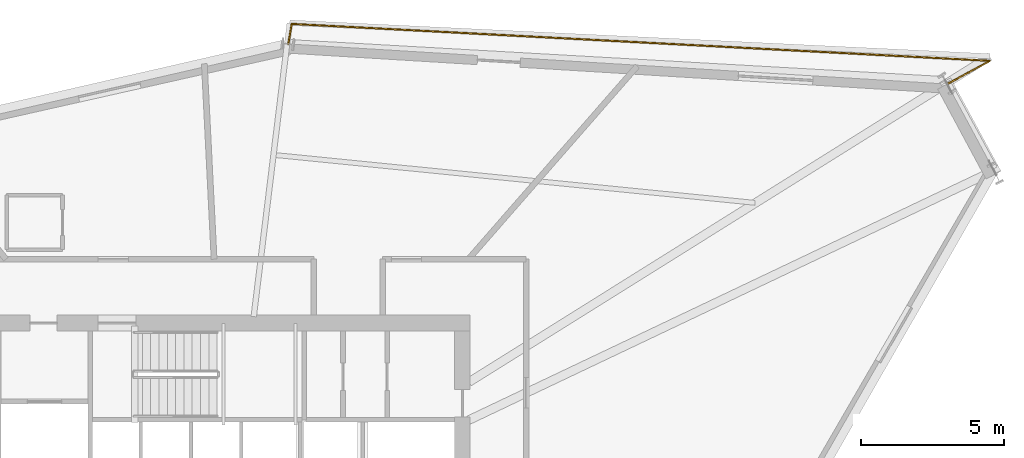
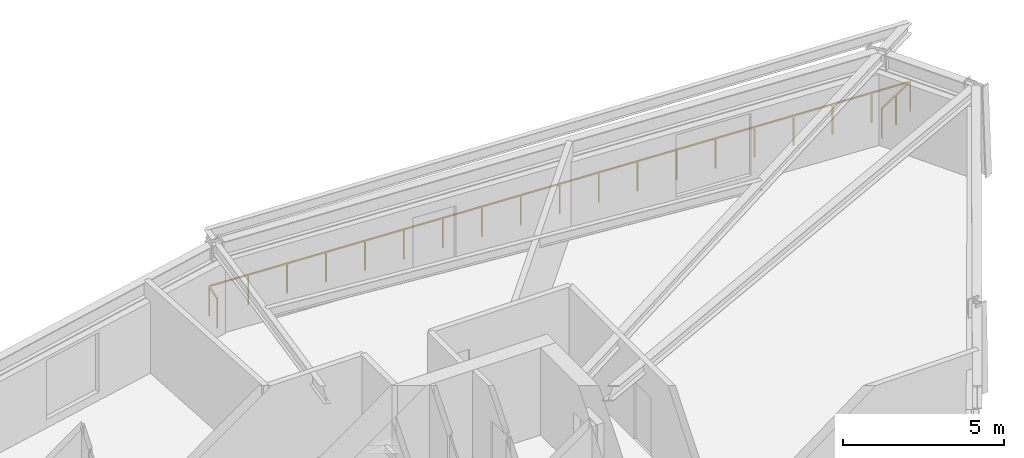
# One storey, part 14 of 14: 1 railing.
"""IFC4 building model written with IfcOpenShell, lengths in metres."""

from ifc_helpers import new_model, si_unit, direction, frame, origin, origin_2d, place, context, subcontext, project, spatial, rectangle, extrude, material, type_object, element, save


model = new_model("IFC4")

# Units and contexts
model_context = context("Model", 3, precision=1e-05, world=origin(), true_north=direction((0.0, 1.0)))
body_context = subcontext(model_context, "Body", "Model", "MODEL_VIEW")
ifc_project = project(units=[si_unit("LENGTHUNIT", "METRE"), si_unit("AREAUNIT", "SQUARE_METRE"), si_unit("VOLUMEUNIT", "CUBIC_METRE"), si_unit("PLANEANGLEUNIT", "RADIAN"), si_unit("MASSUNIT", "GRAM", prefix="KILO")], contexts=[model_context])

# Site, building, storey
site_placement = place(None, origin())
site = spatial("IfcSite", under=ifc_project, at=site_placement, CompositionType="ELEMENT")
building_placement = place(site_placement, origin())
building = spatial("IfcBuilding", under=site, at=building_placement, Name="Olszyna Solenne Hotel", CompositionType="ELEMENT")
storey_placement = place(building_placement, frame((0.0, 0.0, 153.699951171875)))
storey = spatial("IfcBuildingStorey", under=building, at=storey_placement, Name="L40", CompositionType="ELEMENT", Elevation=153.699951171875)

# Railing
ifc_material = material(Name="Anodised bronze aluminium", Category="aluminium")
railing_type = type_object("IfcRailingType", Name="GR-110", PredefinedType="BALUSTRADE", material=ifc_material)
railing_placement = place(storey_placement, frame((63.081298828125, 42.306396484375, 0.0)))
element("IfcRailing", 1, at=railing_placement, inside=storey, type_object=railing_type, Name="Loggia balcony balustrade guard GR-L40-LG1", PredefinedType="BALUSTRADE", context=body_context, shape_type="SweptSolid", body=[
    extrude(rectangle(XDim=0.048095703125, YDim=0.048095703125, at=origin_2d()), frame((0.0, 0.0, 1.1259765625), z_axis=(0.87823726809, 0.478225157156, 0.0), x_axis=(-0.478225157156, 0.87823726809, 0.0)), (0.0, 0.0, 1.0), 1.69189453125),
    extrude(rectangle(XDim=0.048095703125, YDim=0.048095703125, at=origin_2d()), frame((1.48583984375, 0.80908203125, 1.1259765625), z_axis=(-0.99860395855, 0.052821718714, 0.0), x_axis=(-0.052821718714, -0.99860395855, 0.0)), (0.0, 0.0, 1.0), 24.37158203125),
    extrude(rectangle(XDim=0.048095703125, YDim=0.048095703125, at=origin_2d()), frame((-22.851806640625, 2.096435546875, 1.1259765625), z_axis=(-0.168361739839, -0.985725278441, 0.0), x_axis=(0.985725278441, -0.168361739839, 0.0)), (0.0, 0.0, 1.0), 0.708984375),
    extrude(rectangle(XDim=0.0419921875, YDim=0.0419921875, at=origin_2d()), origin(), (0.0, 0.0, 1.0), 1.101806640625),
    extrude(rectangle(XDim=0.0419921875, YDim=0.0419921875, at=origin_2d()), frame((0.742919921875, 0.404541015625, 0.0)), (0.0, 0.0, 1.0), 1.101806640625),
    extrude(rectangle(XDim=0.0419921875, YDim=0.0419921875, at=origin_2d()), frame((1.48583984375, 0.80908203125, 0.0)), (0.0, 0.0, 1.0), 1.101806640625),
    extrude(rectangle(XDim=0.0419921875, YDim=0.0419921875, at=origin_2d()), frame((0.1337890625, 0.880615234375, 0.0)), (0.0, 0.0, 1.0), 1.101806640625),
    extrude(rectangle(XDim=0.0419921875, YDim=0.0419921875, at=origin_2d()), frame((-1.21826171875, 0.9521484375, 0.0)), (0.0, 0.0, 1.0), 1.101806640625),
    extrude(rectangle(XDim=0.0419921875, YDim=0.0419921875, at=origin_2d()), frame((-2.5703125, 1.023681640625, 0.0)), (0.0, 0.0, 1.0), 1.101806640625),
    extrude(rectangle(XDim=0.0419921875, YDim=0.0419921875, at=origin_2d()), frame((-3.922607421875, 1.09521484375, 0.0)), (0.0, 0.0, 1.0), 1.101806640625),
    extrude(rectangle(XDim=0.0419921875, YDim=0.0419921875, at=origin_2d()), frame((-5.274658203125, 1.166748046875, 0.0)), (0.0, 0.0, 1.0), 1.101806640625),
    extrude(rectangle(XDim=0.0419921875, YDim=0.0419921875, at=origin_2d()), frame((-6.626708984375, 1.23828125, 0.0)), (0.0, 0.0, 1.0), 1.101806640625),
    extrude(rectangle(XDim=0.0419921875, YDim=0.0419921875, at=origin_2d()), frame((-7.978759765625, 1.309814453125, 0.0)), (0.0, 0.0, 1.0), 1.101806640625),
    extrude(rectangle(XDim=0.0419921875, YDim=0.0419921875, at=origin_2d()), frame((-9.330810546875, 1.38134765625, 0.0)), (0.0, 0.0, 1.0), 1.101806640625),
    extrude(rectangle(XDim=0.0419921875, YDim=0.0419921875, at=origin_2d()), frame((-10.68310546875, 1.45263671875, 0.0)), (0.0, 0.0, 1.0), 1.101806640625),
    extrude(rectangle(XDim=0.0419921875, YDim=0.0419921875, at=origin_2d()), frame((-12.03515625, 1.524169921875, 0.0)), (0.0, 0.0, 1.0), 1.101806640625),
    extrude(rectangle(XDim=0.0419921875, YDim=0.0419921875, at=origin_2d()), frame((-13.38720703125, 1.595703125, 0.0)), (0.0, 0.0, 1.0), 1.101806640625),
    extrude(rectangle(XDim=0.0419921875, YDim=0.0419921875, at=origin_2d()), frame((-14.7392578125, 1.667236328125, 0.0)), (0.0, 0.0, 1.0), 1.101806640625),
    extrude(rectangle(XDim=0.0419921875, YDim=0.0419921875, at=origin_2d()), frame((-16.09130859375, 1.73876953125, 0.0)), (0.0, 0.0, 1.0), 1.101806640625),
    extrude(rectangle(XDim=0.0419921875, YDim=0.0419921875, at=origin_2d()), frame((-17.443359375, 1.810302734375, 0.0)), (0.0, 0.0, 1.0), 1.101806640625),
    extrude(rectangle(XDim=0.0419921875, YDim=0.0419921875, at=origin_2d()), frame((-18.79541015625, 1.8818359375, 0.0)), (0.0, 0.0, 1.0), 1.101806640625),
    extrude(rectangle(XDim=0.0419921875, YDim=0.0419921875, at=origin_2d()), frame((-20.147705078125, 1.953369140625, 0.0)), (0.0, 0.0, 1.0), 1.101806640625),
    extrude(rectangle(XDim=0.0419921875, YDim=0.0419921875, at=origin_2d()), frame((-21.499755859375, 2.02490234375, 0.0)), (0.0, 0.0, 1.0), 1.101806640625),
    extrude(rectangle(XDim=0.0419921875, YDim=0.0419921875, at=origin_2d()), frame((-22.851806640625, 2.096435546875, 0.0)), (0.0, 0.0, 1.0), 1.101806640625),
    extrude(rectangle(XDim=0.0419921875, YDim=0.0419921875, at=origin_2d()), frame((-22.97119140625, 1.3974609375, 0.0)), (0.0, 0.0, 1.0), 1.101806640625),
])

save(model, "model.ifc")
